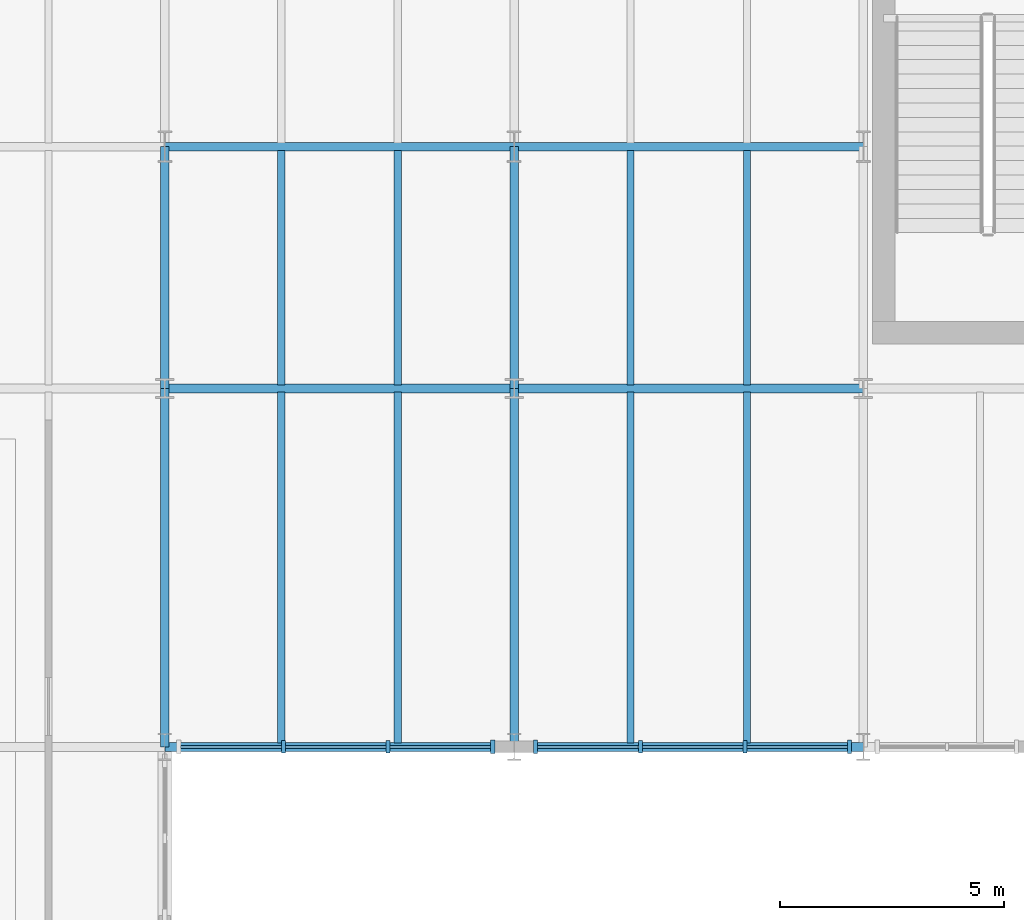
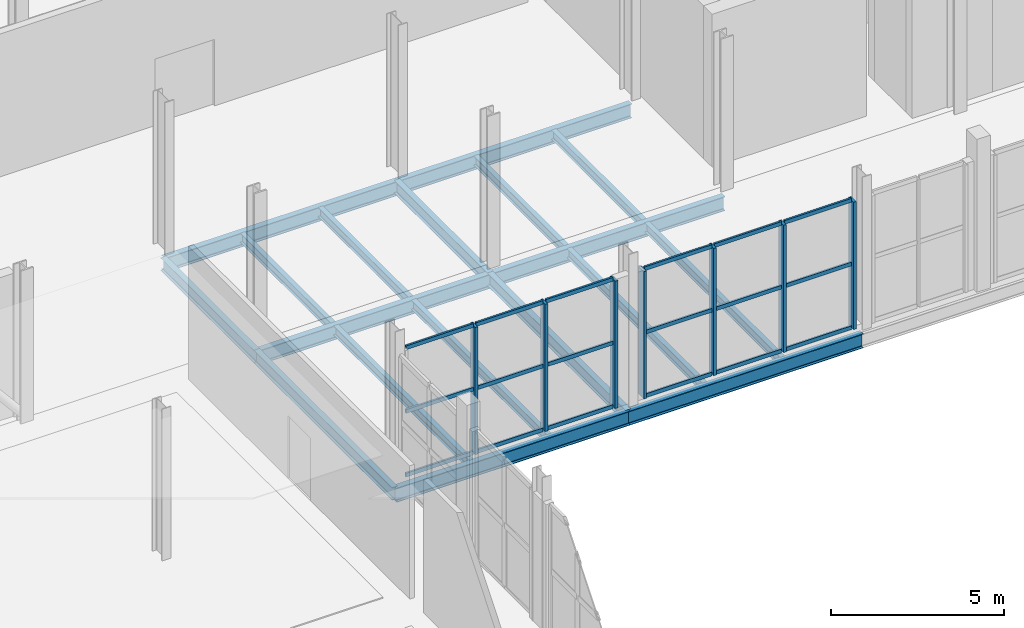
# One storey, part 26 of 78: 25 members, 18 beams, 2 elements without a shape of their own.
"""IFC4 building model written with IfcOpenShell, lengths in metres."""

from ifc_helpers import new_model, si_unit, direction, frame, origin, origin_2d, place, context, subcontext, project, spatial, rectangle, i_section, extrude, material, layer, layer_set, material_profile, profile_set, type_object, element, aggregate, save


model = new_model("IFC4")

# Units and contexts
model_context = context("Model", 3, precision=1e-05, world=origin(), true_north=direction((0.0, 1.0)))
body_context = subcontext(model_context, "Body", "Model", "MODEL_VIEW")
ifc_project = project(units=[si_unit("LENGTHUNIT", "METRE"), si_unit("AREAUNIT", "SQUARE_METRE"), si_unit("VOLUMEUNIT", "CUBIC_METRE"), si_unit("PLANEANGLEUNIT", "RADIAN"), si_unit("MASSUNIT", "GRAM", prefix="KILO")], contexts=[model_context])

# Site, building, storey
site_placement = place(None, origin())
site = spatial("IfcSite", under=ifc_project, at=site_placement, CompositionType="ELEMENT")
building_placement = place(site_placement, origin())
building = spatial("IfcBuilding", under=site, at=building_placement, Name="Sefraquen Railside Congress Hotel", CompositionType="ELEMENT")
storey_placement = place(building_placement, frame((0.0, 0.0, 6.0)))
storey = spatial("IfcBuildingStorey", under=building, at=storey_placement, Name="L01", CompositionType="ELEMENT", Elevation=6.0)

# Beams
ifc_material_1 = material(Name="Steel S355JR", Category="steel")
ifc_material_profile_1 = material_profile(ifc_material_1, i_section(OverallWidth=0.18994140625, OverallDepth=0.449951171875, WebThickness=0.009521484375, FlangeThickness=0.0146484375, FilletRadius=0.02099609375, at=origin_2d()), Name="IPE 450")
ifc_profile_set_1 = profile_set([ifc_material_profile_1], Name="Steel S355JR")
beam_type_1 = type_object("IfcBeamType", Name="TB-BM-450", PredefinedType="BEAM", material=ifc_profile_set_1)
beam_1_placement = place(storey_placement, frame((48.60009765625, 88.0, -0.52490234375), z_axis=(0.0, 1.0, 0.0), x_axis=(-1.0, 0.0, 0.0)))
element("IfcBeam", 1, at=beam_1_placement, inside=storey, type_object=beam_type_1, Name="Floor beam BM-L01-0564", PredefinedType="BEAM", context=body_context, shape_type="SweptSolid", body=[
    extrude(i_section(OverallWidth=0.18994140625, OverallDepth=0.449951171875, WebThickness=0.009521484375, FlangeThickness=0.0146484375, FilletRadius=0.02099609375, at=origin_2d()), origin(), (0.0, 0.0, 1.0), 8.0),
])
beam_2_placement = place(storey_placement, frame((48.60009765625, 96.0, -0.52490234375), z_axis=(0.0, 1.0, 0.0), x_axis=(-1.0, 0.0, 0.0)))
element("IfcBeam", 2, at=beam_2_placement, inside=storey, type_object=beam_type_1, Name="Floor beam BM-L01-0565", PredefinedType="BEAM", context=body_context, shape_type="SweptSolid", body=[
    extrude(i_section(OverallWidth=0.18994140625, OverallDepth=0.449951171875, WebThickness=0.009521484375, FlangeThickness=0.0146484375, FilletRadius=0.02099609375, at=origin_2d()), origin(), (0.0, 0.0, 1.0), 5.39990234375),
])
beam_3_placement = place(storey_placement, frame((56.39990234375, 88.0, -0.52490234375), z_axis=(0.0, 1.0, 0.0), x_axis=(-1.0, 0.0, 0.0)))
element("IfcBeam", 3, at=beam_3_placement, inside=storey, type_object=beam_type_1, Name="Floor beam BM-L01-0568", PredefinedType="BEAM", context=body_context, shape_type="SweptSolid", body=[
    extrude(i_section(OverallWidth=0.18994140625, OverallDepth=0.449951171875, WebThickness=0.009521484375, FlangeThickness=0.0146484375, FilletRadius=0.02099609375, at=origin_2d()), origin(), (0.0, 0.0, 1.0), 8.0),
])
beam_4_placement = place(storey_placement, frame((56.39990234375, 96.0, -0.52490234375), z_axis=(0.0, 1.0, 0.0), x_axis=(-1.0, 0.0, 0.0)))
element("IfcBeam", 4, at=beam_4_placement, inside=storey, type_object=beam_type_1, Name="Floor beam BM-L01-0569", PredefinedType="BEAM", context=body_context, shape_type="SweptSolid", body=[
    extrude(i_section(OverallWidth=0.18994140625, OverallDepth=0.449951171875, WebThickness=0.009521484375, FlangeThickness=0.0146484375, FilletRadius=0.02099609375, at=origin_2d()), origin(), (0.0, 0.0, 1.0), 5.39990234375),
])
ifc_material_profile_2 = material_profile(ifc_material_1, i_section(OverallWidth=0.199951171875, OverallDepth=0.5, WebThickness=0.01025390625, FlangeThickness=0.01611328125, FilletRadius=0.02099609375, at=origin_2d()), Name="IPE 500")
ifc_profile_set_2 = profile_set([ifc_material_profile_2], Name="Steel S355JR")
beam_type_2 = type_object("IfcBeamType", Name="TB-BM-500", PredefinedType="BEAM", material=ifc_profile_set_2)
beam_5_placement = place(storey_placement, frame((48.60009765625, 88.0, -0.550048828125), z_axis=(1.0, 0.0, 0.0), x_axis=(0.0, 1.0, 0.0)))
element("IfcBeam", 5, at=beam_5_placement, inside=storey, type_object=beam_type_2, Name="Primary girder BM-L01-0439", PredefinedType="BEAM", context=body_context, shape_type="SweptSolid", body=[
    extrude(i_section(OverallWidth=0.199951171875, OverallDepth=0.5, WebThickness=0.01025390625, FlangeThickness=0.01611328125, FilletRadius=0.02099609375, at=origin_2d()), origin(), (0.0, 0.0, 1.0), 7.7998046875),
])
beam_6_placement = place(storey_placement, frame((56.39990234375, 88.0, -0.550048828125), z_axis=(1.0, 0.0, 0.0), x_axis=(0.0, 1.0, 0.0)))
element("IfcBeam", 6, at=beam_6_placement, inside=storey, type_object=beam_type_2, Name="Primary girder BM-L01-0440", PredefinedType="BEAM", context=body_context, shape_type="SweptSolid", body=[
    extrude(i_section(OverallWidth=0.199951171875, OverallDepth=0.5, WebThickness=0.01025390625, FlangeThickness=0.01611328125, FilletRadius=0.02099609375, at=origin_2d()), origin(), (0.0, 0.0, 1.0), 7.800048828125),
])
beam_7_placement = place(storey_placement, frame((48.60009765625, 96.0, -0.550048828125), z_axis=(1.0, 0.0, 0.0), x_axis=(0.0, 1.0, 0.0)))
element("IfcBeam", 7, at=beam_7_placement, inside=storey, type_object=beam_type_2, Name="Primary girder BM-L01-0454", PredefinedType="BEAM", context=body_context, shape_type="SweptSolid", body=[
    extrude(i_section(OverallWidth=0.199951171875, OverallDepth=0.5, WebThickness=0.01025390625, FlangeThickness=0.01611328125, FilletRadius=0.02099609375, at=origin_2d()), origin(), (0.0, 0.0, 1.0), 7.7998046875),
])
beam_8_placement = place(storey_placement, frame((56.39990234375, 96.0, -0.550048828125), z_axis=(1.0, 0.0, 0.0), x_axis=(0.0, 1.0, 0.0)))
element("IfcBeam", 8, at=beam_8_placement, inside=storey, type_object=beam_type_2, Name="Primary girder BM-L01-0455", PredefinedType="BEAM", context=body_context, shape_type="SweptSolid", body=[
    extrude(i_section(OverallWidth=0.199951171875, OverallDepth=0.5, WebThickness=0.01025390625, FlangeThickness=0.01611328125, FilletRadius=0.02099609375, at=origin_2d()), origin(), (0.0, 0.0, 1.0), 7.800048828125),
])
beam_9_placement = place(storey_placement, frame((48.60009765625, 101.39990234375, -0.550048828125), z_axis=(1.0, 0.0, 0.0), x_axis=(0.0, 1.0, 0.0)))
element("IfcBeam", 9, at=beam_9_placement, inside=storey, type_object=beam_type_2, Name="Primary girder BM-L01-0473", PredefinedType="BEAM", context=body_context, shape_type="SweptSolid", body=[
    extrude(i_section(OverallWidth=0.199951171875, OverallDepth=0.5, WebThickness=0.01025390625, FlangeThickness=0.01611328125, FilletRadius=0.02099609375, at=origin_2d()), origin(), (0.0, 0.0, 1.0), 7.7998046875),
])
beam_10_placement = place(storey_placement, frame((56.39990234375, 101.39990234375, -0.550048828125), z_axis=(1.0, 0.0, 0.0), x_axis=(0.0, 1.0, 0.0)))
element("IfcBeam", 10, at=beam_10_placement, inside=storey, type_object=beam_type_2, Name="Primary girder BM-L01-0474", PredefinedType="BEAM", context=body_context, shape_type="SweptSolid", body=[
    extrude(i_section(OverallWidth=0.199951171875, OverallDepth=0.5, WebThickness=0.01025390625, FlangeThickness=0.01611328125, FilletRadius=0.02099609375, at=origin_2d()), origin(), (0.0, 0.0, 1.0), 7.800048828125),
])
ifc_material_profile_3 = material_profile(ifc_material_1, i_section(OverallWidth=0.159912109375, OverallDepth=0.330078125, WebThickness=0.007568359375, FlangeThickness=0.011474609375, FilletRadius=0.01806640625, at=origin_2d()), Name="IPE 330")
ifc_profile_set_3 = profile_set([ifc_material_profile_3], Name="Steel S355JR")
beam_type_3 = type_object("IfcBeamType", Name="TB-JST-330", PredefinedType="JOIST", material=ifc_profile_set_3)
for number, where, z_axis, x_axis, name in (
    (11, (51.199951171875, 88.080078125, -0.465087890625), (0.0, 1.0, 0.0), (-1.0, 0.0, 0.0), "Composite floor joist BM-L01-J0286"),
    (12, (53.800048828125, 88.080078125, -0.465087890625), (0.0, 1.0, 0.0), (-1.0, 0.0, 0.0), "Composite floor joist BM-L01-J0287"),
):
    element("IfcBeam", number, at=place(storey_placement, frame(where, z_axis=z_axis, x_axis=x_axis)), inside=storey, type_object=beam_type_3, Name=name, PredefinedType="JOIST", context=body_context, shape_type="SweptSolid", body=[
        extrude(i_section(OverallWidth=0.159912109375, OverallDepth=0.330078125, WebThickness=0.007568359375, FlangeThickness=0.011474609375, FilletRadius=0.01806640625, at=origin_2d()), origin(), (0.0, 0.0, 1.0), 7.83984375),
    ])
for number, where, z_axis, x_axis, name in (
    (13, (51.199951171875, 96.080078125, -0.465087890625), (0.0, 1.0, 0.0), (-1.0, 0.0, 0.0), "Composite floor joist BM-L01-J0288"),
    (14, (53.800048828125, 96.080078125, -0.465087890625), (0.0, 1.0, 0.0), (-1.0, 0.0, 0.0), "Composite floor joist BM-L01-J0289"),
):
    element("IfcBeam", number, at=place(storey_placement, frame(where, z_axis=z_axis, x_axis=x_axis)), inside=storey, type_object=beam_type_3, Name=name, PredefinedType="JOIST", context=body_context, shape_type="SweptSolid", body=[
        extrude(i_section(OverallWidth=0.159912109375, OverallDepth=0.330078125, WebThickness=0.007568359375, FlangeThickness=0.011474609375, FilletRadius=0.01806640625, at=origin_2d()), origin(), (0.0, 0.0, 1.0), 5.239990234375),
    ])
for number, where, z_axis, x_axis, name in (
    (15, (59.0, 88.080078125, -0.465087890625), (0.0, 1.0, 0.0), (-1.0, 0.0, 0.0), "Composite floor joist BM-L01-J0294"),
    (16, (61.60009765625, 88.080078125, -0.465087890625), (0.0, 1.0, 0.0), (-1.0, 0.0, 0.0), "Composite floor joist BM-L01-J0295"),
):
    element("IfcBeam", number, at=place(storey_placement, frame(where, z_axis=z_axis, x_axis=x_axis)), inside=storey, type_object=beam_type_3, Name=name, PredefinedType="JOIST", context=body_context, shape_type="SweptSolid", body=[
        extrude(i_section(OverallWidth=0.159912109375, OverallDepth=0.330078125, WebThickness=0.007568359375, FlangeThickness=0.011474609375, FilletRadius=0.01806640625, at=origin_2d()), origin(), (0.0, 0.0, 1.0), 7.83984375),
    ])
for number, where, z_axis, x_axis, name in (
    (17, (59.0, 96.080078125, -0.465087890625), (0.0, 1.0, 0.0), (-1.0, 0.0, 0.0), "Composite floor joist BM-L01-J0296"),
    (18, (61.60009765625, 96.080078125, -0.465087890625), (0.0, 1.0, 0.0), (-1.0, 0.0, 0.0), "Composite floor joist BM-L01-J0297"),
):
    element("IfcBeam", number, at=place(storey_placement, frame(where, z_axis=z_axis, x_axis=x_axis)), inside=storey, type_object=beam_type_3, Name=name, PredefinedType="JOIST", context=body_context, shape_type="SweptSolid", body=[
        extrude(i_section(OverallWidth=0.159912109375, OverallDepth=0.330078125, WebThickness=0.007568359375, FlangeThickness=0.011474609375, FilletRadius=0.01806640625, at=origin_2d()), origin(), (0.0, 0.0, 1.0), 5.239990234375),
    ])

# Curtain wall, members
ifc_material_2 = material(Name="Thermally broken anodised aluminium and low-E double glazing", Category="aluminium")
ifc_layer = layer(ifc_material_2, 0.199951171875)
ifc_layer_set = layer_set([ifc_layer], Name="Thermally broken anodised aluminium and low-E double glazing")
curtain_wall_type = type_object("IfcCurtainWallType", Name="TCW-UCW-10", PredefinedType="USERDEFINED", material=ifc_layer_set)
curtain_wall_1_placement = place(storey_placement, origin())
curtain_wall_1 = element("IfcCurtainWall", 19, at=curtain_wall_1_placement, inside=storey, type_object=curtain_wall_type, Name="Courtyard north gallery curtain wall L01-1", ObjectType="UNITISED CURTAIN WALL", PredefinedType="USERDEFINED")
ifc_material_3 = material(Name="Thermally broken anodised aluminium 6063-T6", Category="aluminium")
ifc_material_profile_4 = material_profile(ifc_material_3, rectangle(XDim=0.090087890625, YDim=0.280029296875, at=origin_2d()), Name="CWM 90x280")
ifc_profile_set_4 = profile_set([ifc_material_profile_4], Name="Thermally broken anodised aluminium 6063-T6")
member_type_1 = type_object("IfcMemberType", Name="TM-CWM-07", PredefinedType="MULLION", material=ifc_profile_set_4)
member_1_placement = place(storey_placement, frame((51.24658203125, 88.0, 0.0), z_axis=(0.0, 0.0, 1.0), x_axis=(1.0, 0.0, 0.0)))
member_1 = element("IfcMember", 20, at=member_1_placement, type_object=member_type_1, Name="CW-L01-042 mullion 2", PredefinedType="MULLION", context=body_context, shape_type="SweptSolid", body=[
    extrude(rectangle(XDim=0.090087890625, YDim=0.280029296875, at=origin_2d()), origin(), (0.0, 0.0, 1.0), 4.5),
])
member_2_placement = place(storey_placement, frame((53.583251953125, 88.0, 0.0), z_axis=(0.0, 0.0, 1.0), x_axis=(1.0, 0.0, 0.0)))
member_2 = element("IfcMember", 21, at=member_2_placement, type_object=member_type_1, Name="CW-L01-042 mullion 3", PredefinedType="MULLION", context=body_context, shape_type="SweptSolid", body=[
    extrude(rectangle(XDim=0.090087890625, YDim=0.280029296875, at=origin_2d()), origin(), (0.0, 0.0, 1.0), 4.5),
])

curtain_wall_2_placement = place(storey_placement, origin())
curtain_wall_2 = element("IfcCurtainWall", 22, at=curtain_wall_2_placement, inside=storey, type_object=curtain_wall_type, Name="Courtyard north gallery curtain wall L01-1 bay 2", ObjectType="UNITISED CURTAIN WALL", PredefinedType="USERDEFINED")
member_3_placement = place(storey_placement, frame((59.216796875, 88.0, 0.0), z_axis=(0.0, 0.0, 1.0), x_axis=(1.0, 0.0, 0.0)))
member_3 = element("IfcMember", 23, at=member_3_placement, type_object=member_type_1, Name="CW-L01-042-S2 mullion 2", PredefinedType="MULLION", context=body_context, shape_type="SweptSolid", body=[
    extrude(rectangle(XDim=0.090087890625, YDim=0.280029296875, at=origin_2d()), origin(), (0.0, 0.0, 1.0), 4.5),
])
member_4_placement = place(storey_placement, frame((61.55322265625, 88.0, 0.0), z_axis=(0.0, 0.0, 1.0), x_axis=(1.0, 0.0, 0.0)))
member_4 = element("IfcMember", 24, at=member_4_placement, type_object=member_type_1, Name="CW-L01-042-S2 mullion 3", PredefinedType="MULLION", context=body_context, shape_type="SweptSolid", body=[
    extrude(rectangle(XDim=0.090087890625, YDim=0.280029296875, at=origin_2d()), origin(), (0.0, 0.0, 1.0), 4.5),
])

# Member
ifc_material_profile_5 = material_profile(ifc_material_3, rectangle(XDim=0.094970703125, YDim=0.300048828125, at=origin_2d()), Name="CWM 95x300")
ifc_profile_set_5 = profile_set([ifc_material_profile_5], Name="Thermally broken anodised aluminium 6063-T6")
member_type_2 = type_object("IfcMemberType", Name="TM-CWM-08", PredefinedType="MULLION", material=ifc_profile_set_5)
member_5_placement = place(storey_placement, frame((55.919921875, 88.0, 0.0), z_axis=(0.0, 0.0, 1.0), x_axis=(1.0, 0.0, 0.0)))
member_5 = element("IfcMember", 25, at=member_5_placement, type_object=member_type_2, Name="CW-L01-042 mullion 4", PredefinedType="MULLION", context=body_context, shape_type="SweptSolid", body=[
    extrude(rectangle(XDim=0.094970703125, YDim=0.300048828125, at=origin_2d()), origin(), (0.0, 0.0, 1.0), 4.5),
])

member_6_placement = place(storey_placement, frame((56.8798828125, 88.0, 0.0), z_axis=(0.0, 0.0, 1.0), x_axis=(1.0, 0.0, 0.0)))
member_6 = element("IfcMember", 26, at=member_6_placement, type_object=member_type_2, Name="CW-L01-042-S2 mullion 1", PredefinedType="MULLION", context=body_context, shape_type="SweptSolid", body=[
    extrude(rectangle(XDim=0.094970703125, YDim=0.300048828125, at=origin_2d()), origin(), (0.0, 0.0, 1.0), 4.5),
])

member_7_placement = place(storey_placement, frame((63.889892578125, 88.0, 0.0), z_axis=(0.0, 0.0, 1.0), x_axis=(1.0, 0.0, 0.0)))
member_7 = element("IfcMember", 27, at=member_7_placement, type_object=member_type_2, Name="CW-L01-042-S2 mullion 4", PredefinedType="MULLION", context=body_context, shape_type="SweptSolid", body=[
    extrude(rectangle(XDim=0.094970703125, YDim=0.300048828125, at=origin_2d()), origin(), (0.0, 0.0, 1.0), 4.5),
])

ifc_material_profile_6 = material_profile(ifc_material_3, rectangle(XDim=0.06494140625, YDim=0.135009765625, at=origin_2d()), Name="CWT 65x135")
ifc_profile_set_6 = profile_set([ifc_material_profile_6], Name="Thermally broken anodised aluminium 6063-T6")
member_type_3 = type_object("IfcMemberType", Name="TM-CWT-02", PredefinedType="USERDEFINED", material=ifc_profile_set_6)
member_8_placement = place(storey_placement, frame((48.955078125, 88.0, 0.0), z_axis=(1.0, 0.0, 0.0), x_axis=(0.0, 1.0, 0.0)))
member_8 = element("IfcMember", 28, at=member_8_placement, type_object=member_type_3, Name="CW-L01-042 transom 1.1", ObjectType="TRANSOM", PredefinedType="USERDEFINED", context=body_context, shape_type="SweptSolid", body=[
    extrude(rectangle(XDim=0.06494140625, YDim=0.135009765625, at=origin_2d()), origin(), (0.0, 0.0, 1.0), 2.24658203125),
])

member_9_placement = place(storey_placement, frame((51.291748046875, 88.0, 0.0), z_axis=(1.0, 0.0, 0.0), x_axis=(0.0, 1.0, 0.0)))
member_9 = element("IfcMember", 29, at=member_9_placement, type_object=member_type_3, Name="CW-L01-042 transom 1.2", ObjectType="TRANSOM", PredefinedType="USERDEFINED", context=body_context, shape_type="SweptSolid", body=[
    extrude(rectangle(XDim=0.06494140625, YDim=0.135009765625, at=origin_2d()), origin(), (0.0, 0.0, 1.0), 2.24658203125),
])

member_10_placement = place(storey_placement, frame((53.62841796875, 88.0, 0.0), z_axis=(1.0, 0.0, 0.0), x_axis=(0.0, 1.0, 0.0)))
member_10 = element("IfcMember", 30, at=member_10_placement, type_object=member_type_3, Name="CW-L01-042 transom 1.3", ObjectType="TRANSOM", PredefinedType="USERDEFINED", context=body_context, shape_type="SweptSolid", body=[
    extrude(rectangle(XDim=0.06494140625, YDim=0.135009765625, at=origin_2d()), origin(), (0.0, 0.0, 1.0), 2.24658203125),
])

member_11_placement = place(storey_placement, frame((48.955078125, 88.0, 2.25), z_axis=(1.0, 0.0, 0.0), x_axis=(0.0, 1.0, 0.0)))
member_11 = element("IfcMember", 31, at=member_11_placement, type_object=member_type_3, Name="CW-L01-042 transom 2.1", ObjectType="TRANSOM", PredefinedType="USERDEFINED", context=body_context, shape_type="SweptSolid", body=[
    extrude(rectangle(XDim=0.06494140625, YDim=0.135009765625, at=origin_2d()), origin(), (0.0, 0.0, 1.0), 2.24658203125),
])

member_12_placement = place(storey_placement, frame((51.291748046875, 88.0, 2.25), z_axis=(1.0, 0.0, 0.0), x_axis=(0.0, 1.0, 0.0)))
member_12 = element("IfcMember", 32, at=member_12_placement, type_object=member_type_3, Name="CW-L01-042 transom 2.2", ObjectType="TRANSOM", PredefinedType="USERDEFINED", context=body_context, shape_type="SweptSolid", body=[
    extrude(rectangle(XDim=0.06494140625, YDim=0.135009765625, at=origin_2d()), origin(), (0.0, 0.0, 1.0), 2.24658203125),
])

member_13_placement = place(storey_placement, frame((53.62841796875, 88.0, 2.25), z_axis=(1.0, 0.0, 0.0), x_axis=(0.0, 1.0, 0.0)))
member_13 = element("IfcMember", 33, at=member_13_placement, type_object=member_type_3, Name="CW-L01-042 transom 2.3", ObjectType="TRANSOM", PredefinedType="USERDEFINED", context=body_context, shape_type="SweptSolid", body=[
    extrude(rectangle(XDim=0.06494140625, YDim=0.135009765625, at=origin_2d()), origin(), (0.0, 0.0, 1.0), 2.24658203125),
])

member_14_placement = place(storey_placement, frame((48.955078125, 88.0, 4.5), z_axis=(1.0, 0.0, 0.0), x_axis=(0.0, 1.0, 0.0)))
member_14 = element("IfcMember", 34, at=member_14_placement, type_object=member_type_3, Name="CW-L01-042 transom 3.1", ObjectType="TRANSOM", PredefinedType="USERDEFINED", context=body_context, shape_type="SweptSolid", body=[
    extrude(rectangle(XDim=0.06494140625, YDim=0.135009765625, at=origin_2d()), origin(), (0.0, 0.0, 1.0), 2.24658203125),
])

member_15_placement = place(storey_placement, frame((51.291748046875, 88.0, 4.5), z_axis=(1.0, 0.0, 0.0), x_axis=(0.0, 1.0, 0.0)))
member_15 = element("IfcMember", 35, at=member_15_placement, type_object=member_type_3, Name="CW-L01-042 transom 3.2", ObjectType="TRANSOM", PredefinedType="USERDEFINED", context=body_context, shape_type="SweptSolid", body=[
    extrude(rectangle(XDim=0.06494140625, YDim=0.135009765625, at=origin_2d()), origin(), (0.0, 0.0, 1.0), 2.24658203125),
])

member_16_placement = place(storey_placement, frame((53.62841796875, 88.0, 4.5), z_axis=(1.0, 0.0, 0.0), x_axis=(0.0, 1.0, 0.0)))
member_16 = element("IfcMember", 36, at=member_16_placement, type_object=member_type_3, Name="CW-L01-042 transom 3.3", ObjectType="TRANSOM", PredefinedType="USERDEFINED", context=body_context, shape_type="SweptSolid", body=[
    extrude(rectangle(XDim=0.06494140625, YDim=0.135009765625, at=origin_2d()), origin(), (0.0, 0.0, 1.0), 2.24658203125),
])

aggregate(curtain_wall_1, [member_1, member_2, member_5, member_8, member_9, member_10, member_11, member_12, member_13, member_14, member_15, member_16])

member_17_placement = place(storey_placement, frame((56.925048828125, 88.0, 0.0), z_axis=(1.0, 0.0, 0.0), x_axis=(0.0, 1.0, 0.0)))
member_17 = element("IfcMember", 37, at=member_17_placement, type_object=member_type_3, Name="CW-L01-042-S2 transom 1.1", ObjectType="TRANSOM", PredefinedType="USERDEFINED", context=body_context, shape_type="SweptSolid", body=[
    extrude(rectangle(XDim=0.06494140625, YDim=0.135009765625, at=origin_2d()), origin(), (0.0, 0.0, 1.0), 2.24658203125),
])

member_18_placement = place(storey_placement, frame((59.26171875, 88.0, 0.0), z_axis=(1.0, 0.0, 0.0), x_axis=(0.0, 1.0, 0.0)))
member_18 = element("IfcMember", 38, at=member_18_placement, type_object=member_type_3, Name="CW-L01-042-S2 transom 1.2", ObjectType="TRANSOM", PredefinedType="USERDEFINED", context=body_context, shape_type="SweptSolid", body=[
    extrude(rectangle(XDim=0.06494140625, YDim=0.135009765625, at=origin_2d()), origin(), (0.0, 0.0, 1.0), 2.24658203125),
])

member_19_placement = place(storey_placement, frame((61.598388671875, 88.0, 0.0), z_axis=(1.0, 0.0, 0.0), x_axis=(0.0, 1.0, 0.0)))
member_19 = element("IfcMember", 39, at=member_19_placement, type_object=member_type_3, Name="CW-L01-042-S2 transom 1.3", ObjectType="TRANSOM", PredefinedType="USERDEFINED", context=body_context, shape_type="SweptSolid", body=[
    extrude(rectangle(XDim=0.06494140625, YDim=0.135009765625, at=origin_2d()), origin(), (0.0, 0.0, 1.0), 2.24658203125),
])

member_20_placement = place(storey_placement, frame((56.925048828125, 88.0, 2.25), z_axis=(1.0, 0.0, 0.0), x_axis=(0.0, 1.0, 0.0)))
member_20 = element("IfcMember", 40, at=member_20_placement, type_object=member_type_3, Name="CW-L01-042-S2 transom 2.1", ObjectType="TRANSOM", PredefinedType="USERDEFINED", context=body_context, shape_type="SweptSolid", body=[
    extrude(rectangle(XDim=0.06494140625, YDim=0.135009765625, at=origin_2d()), origin(), (0.0, 0.0, 1.0), 2.24658203125),
])

member_21_placement = place(storey_placement, frame((59.26171875, 88.0, 2.25), z_axis=(1.0, 0.0, 0.0), x_axis=(0.0, 1.0, 0.0)))
member_21 = element("IfcMember", 41, at=member_21_placement, type_object=member_type_3, Name="CW-L01-042-S2 transom 2.2", ObjectType="TRANSOM", PredefinedType="USERDEFINED", context=body_context, shape_type="SweptSolid", body=[
    extrude(rectangle(XDim=0.06494140625, YDim=0.135009765625, at=origin_2d()), origin(), (0.0, 0.0, 1.0), 2.24658203125),
])

member_22_placement = place(storey_placement, frame((61.598388671875, 88.0, 2.25), z_axis=(1.0, 0.0, 0.0), x_axis=(0.0, 1.0, 0.0)))
member_22 = element("IfcMember", 42, at=member_22_placement, type_object=member_type_3, Name="CW-L01-042-S2 transom 2.3", ObjectType="TRANSOM", PredefinedType="USERDEFINED", context=body_context, shape_type="SweptSolid", body=[
    extrude(rectangle(XDim=0.06494140625, YDim=0.135009765625, at=origin_2d()), origin(), (0.0, 0.0, 1.0), 2.24658203125),
])

member_23_placement = place(storey_placement, frame((56.925048828125, 88.0, 4.5), z_axis=(1.0, 0.0, 0.0), x_axis=(0.0, 1.0, 0.0)))
member_23 = element("IfcMember", 43, at=member_23_placement, type_object=member_type_3, Name="CW-L01-042-S2 transom 3.1", ObjectType="TRANSOM", PredefinedType="USERDEFINED", context=body_context, shape_type="SweptSolid", body=[
    extrude(rectangle(XDim=0.06494140625, YDim=0.135009765625, at=origin_2d()), origin(), (0.0, 0.0, 1.0), 2.24658203125),
])

member_24_placement = place(storey_placement, frame((59.26171875, 88.0, 4.5), z_axis=(1.0, 0.0, 0.0), x_axis=(0.0, 1.0, 0.0)))
member_24 = element("IfcMember", 44, at=member_24_placement, type_object=member_type_3, Name="CW-L01-042-S2 transom 3.2", ObjectType="TRANSOM", PredefinedType="USERDEFINED", context=body_context, shape_type="SweptSolid", body=[
    extrude(rectangle(XDim=0.06494140625, YDim=0.135009765625, at=origin_2d()), origin(), (0.0, 0.0, 1.0), 2.24658203125),
])

member_25_placement = place(storey_placement, frame((61.598388671875, 88.0, 4.5), z_axis=(1.0, 0.0, 0.0), x_axis=(0.0, 1.0, 0.0)))
member_25 = element("IfcMember", 45, at=member_25_placement, type_object=member_type_3, Name="CW-L01-042-S2 transom 3.3", ObjectType="TRANSOM", PredefinedType="USERDEFINED", context=body_context, shape_type="SweptSolid", body=[
    extrude(rectangle(XDim=0.06494140625, YDim=0.135009765625, at=origin_2d()), origin(), (0.0, 0.0, 1.0), 2.24658203125),
])

aggregate(curtain_wall_2, [member_6, member_3, member_4, member_7, member_17, member_18, member_19, member_20, member_21, member_22, member_23, member_24, member_25])

save(model, "model.ifc")
